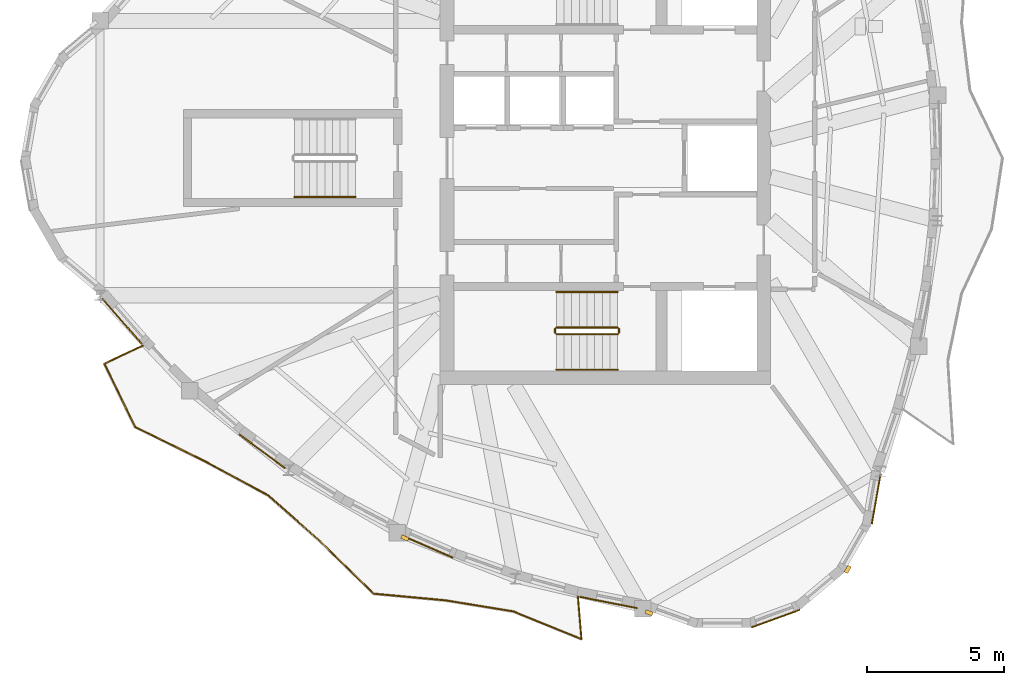
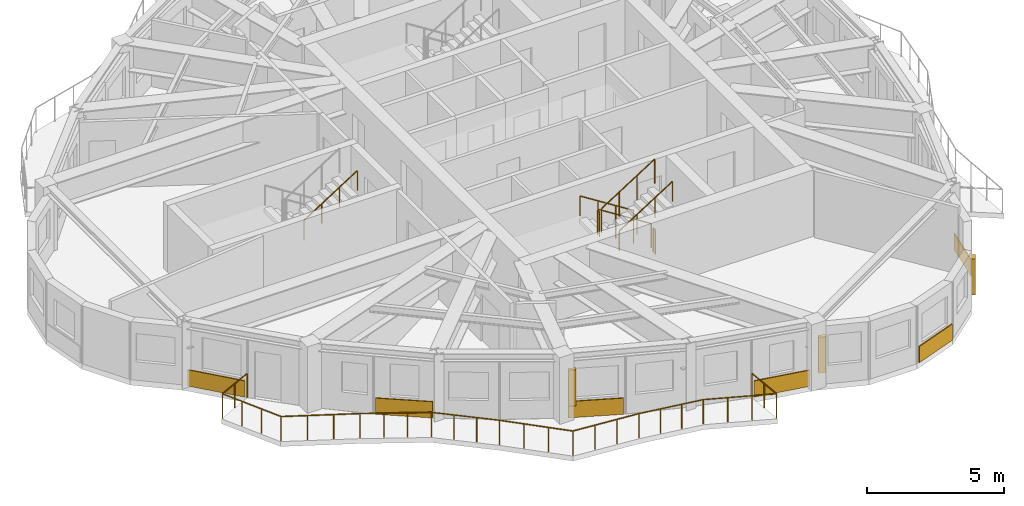
# One storey, part 8 of 11: 8 railings, 6 coverings, 3 shading devices.
"""IFC4 building model written with IfcOpenShell, lengths in metres."""

from ifc_helpers import new_model, si_unit, direction, frame, origin, origin_2d, place, context, subcontext, project, spatial, rectangle, circle, extrude, source, transform, mapped, material, layer, layer_set, type_object, element, save


model = new_model("IFC4")

# Units and contexts
model_context = context("Model", 3, precision=1e-05, world=origin(), true_north=direction((0.0, 1.0)))
body_context = subcontext(model_context, "Body", "Model", "MODEL_VIEW")
ifc_project = project(units=[si_unit("LENGTHUNIT", "METRE"), si_unit("AREAUNIT", "SQUARE_METRE"), si_unit("VOLUMEUNIT", "CUBIC_METRE"), si_unit("PLANEANGLEUNIT", "RADIAN"), si_unit("MASSUNIT", "GRAM", prefix="KILO")], contexts=[model_context])

# Site, building, storey
site_placement = place(None, origin())
site = spatial("IfcSite", under=ifc_project, at=site_placement, CompositionType="ELEMENT")
building_placement = place(site_placement, origin())
building = spatial("IfcBuilding", under=site, at=building_placement, Name="Qafzar Sky-Pleat Residences", CompositionType="ELEMENT")
storey_placement = place(building_placement, frame((0.0, 0.0, 221.199951171875)))
storey = spatial("IfcBuildingStorey", under=building, at=storey_placement, Name="L66", CompositionType="ELEMENT", Elevation=221.199951171875)

# Shading devices
ifc_material_1 = material(Name="Honed Riyadh limestone solar fin", Category="masonry")
ifc_layer_1 = layer(ifc_material_1, 0.139892578125)
ifc_layer_set_1 = layer_set([ifc_layer_1], Name="Honed Riyadh limestone solar fin")
shading_device_type = type_object("IfcShadingDeviceType", Name="SHD-FIN-STONE", PredefinedType="SHUTTER", material=ifc_layer_set_1)
shared_shape_1 = source(origin(), body_context, "Body", "SweptSolid", [
    extrude(rectangle(XDim=0.139892578125, YDim=0.280029296875, at=origin_2d()), origin(), (0.0, 0.0, 1.0), 1.60009765625),
])
for number, where, z_axis, x_axis, name in (
    (1, (23.0087890625, 12.0869140625, 0.60009765625), (0.0, 0.0, 1.0), (-0.398726111415, -0.917070056253, 0.0), "L66 Limestone Solar Fin 13"),
    (2, (31.947998046875, 9.351806640625, 0.60009765625), (0.0, 0.0, 1.0), (-0.342010122116, -0.939696268148, 0.0), "L66 Limestone Solar Fin 17"),
    (3, (39.225341796875, 10.939453125, 0.60009765625), (0.0, 0.0, 1.0), (0.86603181203, -0.499988900429, 0.0), "L66 Limestone Solar Fin 21"),
):
    element("IfcShadingDevice", number, at=place(storey_placement, frame(where, z_axis=z_axis, x_axis=x_axis)), inside=storey, type_object=shading_device_type, Name=name, PredefinedType="SHUTTER", context=body_context, shape_type="MappedRepresentation", body=[
        mapped(shared_shape_1, transform((0.0, 0.0, 0.0), x_axis=(1.0, 0.0, 0.0), y_axis=(0.0, 1.0, 0.0), z_axis=(0.0, 0.0, 1.0), scale=1.0)),
    ])

# Coverings
ifc_material_2 = material(Name="Honed Riyadh Tuwaiq limestone cladding", Category="masonry")
ifc_layer_2 = layer(ifc_material_2, 0.044921875)
ifc_layer_set_2 = layer_set([ifc_layer_2], Name="Honed Riyadh Tuwaiq limestone cladding")
covering_type = type_object("IfcCoveringType", Name="COV-CLAD-STONE", PredefinedType="CLADDING", material=ifc_layer_set_2)
shared_shape_2 = source(origin(), body_context, "Body", "SweptSolid", [
    extrude(rectangle(XDim=1.8291015625, YDim=0.044921875, at=origin_2d()), origin(), (0.0, 0.0, 1.0), 0.719970703125),
])
covering_1_placement = place(storey_placement, frame((40.2666015625, 13.5009765625, 0.02001953125), z_axis=(0.0, 0.0, 1.0), x_axis=(0.173687091871, 0.984800890595, 0.0)))
element("IfcCovering", 4, at=covering_1_placement, inside=storey, type_object=covering_type, Name="L66 Riyadh Limestone Spandrel Cladding 22", PredefinedType="CLADDING", context=body_context, shape_type="MappedRepresentation", body=[
    mapped(shared_shape_2, transform((0.0, 0.0, 0.0), x_axis=(1.0, 0.0, 0.0), y_axis=(0.0, 1.0, 0.0), z_axis=(0.0, 0.0, 1.0), scale=1.0)),
])
shared_shape_3 = source(origin(), body_context, "Body", "SweptSolid", [
    extrude(rectangle(XDim=1.881103515625, YDim=0.044921875, at=origin_2d()), origin(), (0.0, 0.0, 1.0), 0.719970703125),
])
covering_2_placement = place(storey_placement, frame((36.586181640625, 9.13720703125, 0.02001953125), z_axis=(0.0, 0.0, 1.0), x_axis=(0.939709584691, 0.341973531784, 0.0)))
element("IfcCovering", 5, at=covering_2_placement, inside=storey, type_object=covering_type, Name="L66 Riyadh Limestone Spandrel Cladding 19", PredefinedType="CLADDING", context=body_context, shape_type="MappedRepresentation", body=[
    mapped(shared_shape_3, transform((0.0, 0.0, 0.0), x_axis=(1.0, 0.0, 0.0), y_axis=(0.0, 1.0, 0.0), z_axis=(0.0, 0.0, 1.0), scale=1.0)),
])
shared_shape_4 = source(origin(), body_context, "Body", "SweptSolid", [
    extrude(rectangle(XDim=2.135986328125, YDim=0.044921875, at=origin_2d()), origin(), (0.0, 0.0, 1.0), 0.719970703125),
])
covering_3_placement = place(storey_placement, frame((30.468017578125, 9.726806640625, 0.02001953125), z_axis=(0.0, 0.0, 1.0), x_axis=(0.981228323403, -0.192849623678, 0.0)))
element("IfcCovering", 6, at=covering_3_placement, inside=storey, type_object=covering_type, Name="L66 Riyadh Limestone Spandrel Cladding 16", PredefinedType="CLADDING", context=body_context, shape_type="MappedRepresentation", body=[
    mapped(shared_shape_4, transform((0.0, 0.0, 0.0), x_axis=(1.0, 0.0, 0.0), y_axis=(0.0, 1.0, 0.0), z_axis=(0.0, 0.0, 1.0), scale=1.0)),
])

# Railing
ifc_material_3 = material(Name="Laminated glass and bronze steel balustrade", Category="steel")
railing_type_1 = type_object("IfcRailingType", Name="RAIL-BAL-1100", PredefinedType="BALUSTRADE", material=ifc_material_3)
shared_shape_5 = source(origin(), body_context, "Body", "SweptSolid", [
    extrude(circle(Radius=0.02392578125, at=origin_2d()), frame((0.0, 0.0, 1.076171875), z_axis=(-0.904790644591, -0.425856653654, 0.0), x_axis=(0.425856653654, -0.904790644591, 0.0)), (0.0, 0.0, 1.0), 1.57763671875),
    extrude(circle(Radius=0.02392578125, at=origin_2d()), frame((-1.427490234375, -0.671875, 1.076171875), z_axis=(0.437455374248, -0.899240121181, 0.0), x_axis=(0.899240121181, 0.437455374248, 0.0)), (0.0, 0.0, 1.0), 2.578857421875),
    extrude(circle(Radius=0.02392578125, at=origin_2d()), frame((-0.29931640625, -2.990966796875, 1.076171875), z_axis=(0.897107090323, -0.441813160162, 0.0), x_axis=(0.441813160162, 0.897107090323, 0.0)), (0.0, 0.0, 1.0), 2.879638671875),
    extrude(circle(Radius=0.02392578125, at=origin_2d()), frame((2.283935546875, -4.26318359375, 1.076171875), z_axis=(0.880344319941, -0.474335196193, 0.0), x_axis=(0.474335196193, 0.880344319941, 0.0)), (0.0, 0.0, 1.0), 2.59765625),
    extrude(circle(Radius=0.02392578125, at=origin_2d()), frame((4.57080078125, -5.495361328125, 1.076171875), z_axis=(0.749725239558, -0.661749246445, 0.0), x_axis=(0.661749246445, 0.749725239558, 0.0)), (0.0, 0.0, 1.0), 2.53076171875),
    extrude(circle(Radius=0.02392578125, at=origin_2d()), frame((6.46826171875, -7.170166015625, 1.076171875), z_axis=(0.714863884807, -0.6992636314, 0.0), x_axis=(0.6992636314, 0.714863884807, 0.0)), (0.0, 0.0, 1.0), 2.75439453125),
    extrude(circle(Radius=0.02392578125, at=origin_2d()), frame((8.437255859375, -9.09619140625, 1.076171875), z_axis=(0.995744742479, -0.092154261023, 0.0), x_axis=(0.092154261023, 0.995744742479, 0.0)), (0.0, 0.0, 1.0), 2.65185546875),
    extrude(circle(Radius=0.02392578125, at=origin_2d()), frame((11.077880859375, -9.340576171875, 1.076171875), z_axis=(0.986916711973, -0.16123090159, 0.0), x_axis=(0.16123090159, 0.986916711973, 0.0)), (0.0, 0.0, 1.0), 2.5),
    extrude(circle(Radius=0.02392578125, at=origin_2d()), frame((13.545166015625, -9.74365234375, 1.076171875), z_axis=(0.926402453337, -0.376534851576, 0.0), x_axis=(0.376534851576, 0.926402453337, 0.0)), (0.0, 0.0, 1.0), 2.697265625),
    extrude(circle(Radius=0.02392578125, at=origin_2d()), frame((16.0439453125, -10.75927734375, 1.076171875), z_axis=(-0.083544817764, 0.996504020777, 0.0), x_axis=(-0.996504020777, -0.083544817764, 0.0)), (0.0, 0.0, 1.0), 1.578125),
    extrude(circle(Radius=0.02099609375, at=origin_2d()), origin(), (0.0, 0.0, 1.0), 1.052001953125),
    extrude(circle(Radius=0.02099609375, at=origin_2d()), frame((-0.7138671875, -0.3359375, 0.0)), (0.0, 0.0, 1.0), 1.052001953125),
    extrude(circle(Radius=0.02099609375, at=origin_2d()), frame((-1.427490234375, -0.671875, 0.0)), (0.0, 0.0, 1.0), 1.052001953125),
    extrude(circle(Radius=0.02099609375, at=origin_2d()), frame((-1.051513671875, -1.44482421875, 0.0)), (0.0, 0.0, 1.0), 1.052001953125),
    extrude(circle(Radius=0.02099609375, at=origin_2d()), frame((-0.67529296875, -2.218017578125, 0.0)), (0.0, 0.0, 1.0), 1.052001953125),
    extrude(circle(Radius=0.02099609375, at=origin_2d()), frame((-0.29931640625, -2.990966796875, 0.0)), (0.0, 0.0, 1.0), 1.052001953125),
    extrude(circle(Radius=0.02099609375, at=origin_2d()), frame((0.561767578125, -3.4150390625, 0.0)), (0.0, 0.0, 1.0), 1.052001953125),
    extrude(circle(Radius=0.02099609375, at=origin_2d()), frame((1.4228515625, -3.839111328125, 0.0)), (0.0, 0.0, 1.0), 1.052001953125),
    extrude(circle(Radius=0.02099609375, at=origin_2d()), frame((2.283935546875, -4.26318359375, 0.0)), (0.0, 0.0, 1.0), 1.052001953125),
    extrude(circle(Radius=0.02099609375, at=origin_2d()), frame((3.046142578125, -4.673828125, 0.0)), (0.0, 0.0, 1.0), 1.052001953125),
    extrude(circle(Radius=0.02099609375, at=origin_2d()), frame((3.80859375, -5.084716796875, 0.0)), (0.0, 0.0, 1.0), 1.052001953125),
    extrude(circle(Radius=0.02099609375, at=origin_2d()), frame((4.57080078125, -5.495361328125, 0.0)), (0.0, 0.0, 1.0), 1.052001953125),
    extrude(circle(Radius=0.02099609375, at=origin_2d()), frame((5.203369140625, -6.0537109375, 0.0)), (0.0, 0.0, 1.0), 1.052001953125),
    extrude(circle(Radius=0.02099609375, at=origin_2d()), frame((5.835693359375, -6.61181640625, 0.0)), (0.0, 0.0, 1.0), 1.052001953125),
    extrude(circle(Radius=0.02099609375, at=origin_2d()), frame((6.46826171875, -7.170166015625, 0.0)), (0.0, 0.0, 1.0), 1.052001953125),
    extrude(circle(Radius=0.02099609375, at=origin_2d()), frame((7.12451171875, -7.812255859375, 0.0)), (0.0, 0.0, 1.0), 1.052001953125),
    extrude(circle(Radius=0.02099609375, at=origin_2d()), frame((7.781005859375, -8.4541015625, 0.0)), (0.0, 0.0, 1.0), 1.052001953125),
    extrude(circle(Radius=0.02099609375, at=origin_2d()), frame((8.437255859375, -9.09619140625, 0.0)), (0.0, 0.0, 1.0), 1.052001953125),
    extrude(circle(Radius=0.02099609375, at=origin_2d()), frame((9.3173828125, -9.177734375, 0.0)), (0.0, 0.0, 1.0), 1.052001953125),
    extrude(circle(Radius=0.02099609375, at=origin_2d()), frame((10.19775390625, -9.259033203125, 0.0)), (0.0, 0.0, 1.0), 1.052001953125),
    extrude(circle(Radius=0.02099609375, at=origin_2d()), frame((11.077880859375, -9.340576171875, 0.0)), (0.0, 0.0, 1.0), 1.052001953125),
    extrude(circle(Radius=0.02099609375, at=origin_2d()), frame((11.900390625, -9.474853515625, 0.0)), (0.0, 0.0, 1.0), 1.052001953125),
    extrude(circle(Radius=0.02099609375, at=origin_2d()), frame((12.72265625, -9.609375, 0.0)), (0.0, 0.0, 1.0), 1.052001953125),
    extrude(circle(Radius=0.02099609375, at=origin_2d()), frame((13.545166015625, -9.74365234375, 0.0)), (0.0, 0.0, 1.0), 1.052001953125),
    extrude(circle(Radius=0.02099609375, at=origin_2d()), frame((14.378173828125, -10.082275390625, 0.0)), (0.0, 0.0, 1.0), 1.052001953125),
    extrude(circle(Radius=0.02099609375, at=origin_2d()), frame((15.2109375, -10.420654296875, 0.0)), (0.0, 0.0, 1.0), 1.052001953125),
    extrude(circle(Radius=0.02099609375, at=origin_2d()), frame((16.0439453125, -10.75927734375, 0.0)), (0.0, 0.0, 1.0), 1.052001953125),
    extrude(circle(Radius=0.02099609375, at=origin_2d()), frame((15.97802734375, -9.97314453125, 0.0)), (0.0, 0.0, 1.0), 1.052001953125),
    extrude(circle(Radius=0.02099609375, at=origin_2d()), frame((15.912109375, -9.186767578125, 0.0)), (0.0, 0.0, 1.0), 1.052001953125),
])
railing_1_placement = place(storey_placement, frame((13.43408203125, 19.144775390625, 0.0)))
element("IfcRailing", 7, at=railing_1_placement, inside=storey, type_object=railing_type_1, Name="L66 Pleated Balcony 3 Balustrade", PredefinedType="BALUSTRADE", context=body_context, shape_type="MappedRepresentation", body=[
    mapped(shared_shape_5, transform((0.0, 0.0, 0.0), x_axis=(1.0, 0.0, 0.0), y_axis=(0.0, 1.0, 0.0), z_axis=(0.0, 0.0, 1.0), scale=1.0)),
])

# Coverings
shared_shape_6 = source(origin(), body_context, "Body", "SweptSolid", [
    extrude(rectangle(XDim=2.19921875, YDim=0.044921875, at=origin_2d()), origin(), (0.0, 0.0, 1.0), 0.719970703125),
])
covering_4_placement = place(storey_placement, frame((12.64990234375, 20.027099609375, 0.02001953125), z_axis=(0.0, 0.0, 1.0), x_axis=(0.657603089967, -0.753364570487, 0.0)))
element("IfcCovering", 8, at=covering_4_placement, inside=storey, type_object=covering_type, Name="L66 Riyadh Limestone Spandrel Cladding 7", PredefinedType="CLADDING", context=body_context, shape_type="MappedRepresentation", body=[
    mapped(shared_shape_6, transform((0.0, 0.0, 0.0), x_axis=(1.0, 0.0, 0.0), y_axis=(0.0, 1.0, 0.0), z_axis=(0.0, 0.0, 1.0), scale=1.0)),
])
shared_shape_7 = source(origin(), body_context, "Body", "SweptSolid", [
    extrude(rectangle(XDim=2.09521484375, YDim=0.044921875, at=origin_2d()), origin(), (0.0, 0.0, 1.0), 0.719970703125),
])
covering_5_placement = place(storey_placement, frame((17.788818359375, 15.260986328125, 0.02001953125), z_axis=(0.0, 0.0, 1.0), x_axis=(0.803818893244, -0.594874093287, 0.0)))
element("IfcCovering", 9, at=covering_5_placement, inside=storey, type_object=covering_type, Name="L66 Riyadh Limestone Spandrel Cladding 10", PredefinedType="CLADDING", context=body_context, shape_type="MappedRepresentation", body=[
    mapped(shared_shape_7, transform((0.0, 0.0, 0.0), x_axis=(1.0, 0.0, 0.0), y_axis=(0.0, 1.0, 0.0), z_axis=(0.0, 0.0, 1.0), scale=1.0)),
])
shared_shape_8 = source(origin(), body_context, "Body", "SweptSolid", [
    extrude(rectangle(XDim=2.031982421875, YDim=0.044921875, at=origin_2d()), origin(), (0.0, 0.0, 1.0), 0.719970703125),
])
covering_6_placement = place(storey_placement, frame((23.83740234375, 11.7734375, 0.02001953125), z_axis=(0.0, 0.0, 1.0), x_axis=(0.91707991396, -0.398703437923, 0.0)))
element("IfcCovering", 10, at=covering_6_placement, inside=storey, type_object=covering_type, Name="L66 Riyadh Limestone Spandrel Cladding 13", PredefinedType="CLADDING", context=body_context, shape_type="MappedRepresentation", body=[
    mapped(shared_shape_8, transform((0.0, 0.0, 0.0), x_axis=(1.0, 0.0, 0.0), y_axis=(0.0, 1.0, 0.0), z_axis=(0.0, 0.0, 1.0), scale=1.0)),
])

# Railings
ifc_material_4 = material(Name="Painted Steel S355 stair guardrail", Category="steel")
railing_type_2 = type_object("IfcRailingType", Name="RAIL-STAIR-GUARD", PredefinedType="GUARDRAIL", material=ifc_material_4)
shared_shape_9 = source(origin(), body_context, "Body", "SweptSolid", [
    extrude(circle(Radius=0.02392578125, at=origin_2d()), frame((0.0, 0.0, 1.076171875), z_axis=(0.0, -1.0, 0.0), x_axis=(1.0, 0.0, 0.0)), (0.0, 0.0, 1.0), 0.14990234375),
    extrude(circle(Radius=0.02099609375, at=origin_2d()), origin(), (0.0, 0.0, 1.0), 1.052001953125),
    extrude(circle(Radius=0.02099609375, at=origin_2d()), frame((0.0, -0.14990234375, 0.0)), (0.0, 0.0, 1.0), 1.052001953125),
])
for number, where, name in (
    (11, (28.510009765625, 19.75, 1.60009765625), "L66 ST1 stair guard 2"),
    (12, (30.85009765625, 19.75, 0.0), "L66 ST1 stair guard 4"),
):
    element("IfcRailing", number, at=place(storey_placement, frame(where)), inside=storey, type_object=railing_type_2, Name=name, PredefinedType="GUARDRAIL", context=body_context, shape_type="MappedRepresentation", body=[
        mapped(shared_shape_9, transform((0.0, 0.0, 0.0), x_axis=(1.0, 0.0, 0.0), y_axis=(0.0, 1.0, 0.0), z_axis=(0.0, 0.0, 1.0), scale=1.0)),
    ])
shared_shape_10 = source(origin(), body_context, "Body", "SweptSolid", [
    extrude(circle(Radius=0.02392578125, at=origin_2d()), frame((0.0, 0.0, 1.076171875), z_axis=(0.8442293374, 0.0, 0.53598211339), x_axis=(0.0, 1.0, 0.0)), (0.0, 0.0, 1.0), 2.6533203125),
    extrude(circle(Radius=0.02099609375, at=origin_2d()), origin(), (0.0, 0.0, 1.0), 1.052001953125),
    extrude(circle(Radius=0.02099609375, at=origin_2d()), frame((0.74658203125, 0.0, 0.47412109375)), (0.0, 0.0, 1.0), 1.052001953125),
    extrude(circle(Radius=0.02099609375, at=origin_2d()), frame((1.493408203125, 0.0, 0.947998046875)), (0.0, 0.0, 1.0), 1.052001953125),
    extrude(circle(Radius=0.02099609375, at=origin_2d()), frame((2.239990234375, 0.0, 1.422119140625)), (0.0, 0.0, 1.0), 1.052001953125),
])
railing_2_placement = place(storey_placement, frame((28.56005859375, 19.550048828125, 1.77783203125)))
element("IfcRailing", 13, at=railing_2_placement, inside=storey, type_object=railing_type_2, Name="L66 ST1 stair guard 3", PredefinedType="GUARDRAIL", context=body_context, shape_type="MappedRepresentation", body=[
    mapped(shared_shape_10, transform((0.0, 0.0, 0.0), x_axis=(1.0, 0.0, 0.0), y_axis=(0.0, 1.0, 0.0), z_axis=(0.0, 0.0, 1.0), scale=1.0)),
])
ifc_material_5 = material(Name="Brushed stainless steel handrail", Category="steel")
railing_type_3 = type_object("IfcRailingType", Name="RAIL-STAIR-HAND", PredefinedType="HANDRAIL", material=ifc_material_5)
shared_shape_11 = source(origin(), body_context, "Body", "SweptSolid", [
    extrude(circle(Radius=0.02392578125, at=origin_2d()), frame((0.0, 0.0, 0.8759765625), z_axis=(0.8442293374, 0.0, 0.53598211339), x_axis=(0.0, 1.0, 0.0)), (0.0, 0.0, 1.0), 2.6533203125),
    extrude(circle(Radius=0.02099609375, at=origin_2d()), origin(), (0.0, 0.0, 1.0), 0.851806640625),
    extrude(circle(Radius=0.02099609375, at=origin_2d()), frame((0.74658203125, 0.0, 0.47412109375)), (0.0, 0.0, 1.0), 0.851806640625),
    extrude(circle(Radius=0.02099609375, at=origin_2d()), frame((1.493408203125, 0.0, 0.947998046875)), (0.0, 0.0, 1.0), 0.851806640625),
    extrude(circle(Radius=0.02099609375, at=origin_2d()), frame((2.239990234375, 0.0, 1.422119140625)), (0.0, 0.0, 1.0), 0.851806640625),
])
for number, where, name in (
    (14, (28.56005859375, 18.25, 1.77783203125), "L66 ST1 stair handrail 2"),
    (15, (18.9599609375, 24.574951171875, 1.77783203125), "L66 ST3 stair handrail 2"),
):
    element("IfcRailing", number, at=place(storey_placement, frame(where)), inside=storey, type_object=railing_type_3, Name=name, PredefinedType="HANDRAIL", context=body_context, shape_type="MappedRepresentation", body=[
        mapped(shared_shape_11, transform((0.0, 0.0, 0.0), x_axis=(1.0, 0.0, 0.0), y_axis=(0.0, 1.0, 0.0), z_axis=(0.0, 0.0, 1.0), scale=1.0)),
    ])
shared_shape_12 = source(origin(), body_context, "Body", "SweptSolid", [
    extrude(circle(Radius=0.02392578125, at=origin_2d()), frame((0.0, 0.0, 1.076171875), z_axis=(-0.84418770128, 0.0, 0.536047689118), x_axis=(0.0, -1.0, 0.0)), (0.0, 0.0, 1.0), 2.6533203125),
    extrude(circle(Radius=0.02099609375, at=origin_2d()), origin(), (0.0, 0.0, 1.0), 1.052001953125),
    extrude(circle(Radius=0.02099609375, at=origin_2d()), frame((-0.74658203125, 0.0, 0.47412109375)), (0.0, 0.0, 1.0), 1.052001953125),
    extrude(circle(Radius=0.02099609375, at=origin_2d()), frame((-1.493408203125, 0.0, 0.9482421875)), (0.0, 0.0, 1.0), 1.052001953125),
    extrude(circle(Radius=0.02099609375, at=origin_2d()), frame((-2.239990234375, 0.0, 1.42236328125)), (0.0, 0.0, 1.0), 1.052001953125),
])
railing_3_placement = place(storey_placement, frame((30.800048828125, 19.800048828125, 0.177734375)))
element("IfcRailing", 16, at=railing_3_placement, inside=storey, type_object=railing_type_2, Name="L66 ST1 stair guard 1", PredefinedType="GUARDRAIL", context=body_context, shape_type="MappedRepresentation", body=[
    mapped(shared_shape_12, transform((0.0, 0.0, 0.0), x_axis=(1.0, 0.0, 0.0), y_axis=(0.0, 1.0, 0.0), z_axis=(0.0, 0.0, 1.0), scale=1.0)),
])
shared_shape_13 = source(origin(), body_context, "Body", "SweptSolid", [
    extrude(circle(Radius=0.02392578125, at=origin_2d()), frame((0.0, 0.0, 0.8759765625), z_axis=(-0.84418770128, 0.0, 0.536047689118), x_axis=(0.0, -1.0, 0.0)), (0.0, 0.0, 1.0), 2.6533203125),
    extrude(circle(Radius=0.02099609375, at=origin_2d()), origin(), (0.0, 0.0, 1.0), 0.851806640625),
    extrude(circle(Radius=0.02099609375, at=origin_2d()), frame((-0.74658203125, 0.0, 0.47412109375)), (0.0, 0.0, 1.0), 0.851806640625),
    extrude(circle(Radius=0.02099609375, at=origin_2d()), frame((-1.493408203125, 0.0, 0.9482421875)), (0.0, 0.0, 1.0), 0.851806640625),
    extrude(circle(Radius=0.02099609375, at=origin_2d()), frame((-2.239990234375, 0.0, 1.42236328125)), (0.0, 0.0, 1.0), 0.851806640625),
])
railing_4_placement = place(storey_placement, frame((30.800048828125, 21.10009765625, 0.177734375)))
element("IfcRailing", 17, at=railing_4_placement, inside=storey, type_object=railing_type_3, Name="L66 ST1 stair handrail 1", PredefinedType="HANDRAIL", context=body_context, shape_type="MappedRepresentation", body=[
    mapped(shared_shape_13, transform((0.0, 0.0, 0.0), x_axis=(1.0, 0.0, 0.0), y_axis=(0.0, 1.0, 0.0), z_axis=(0.0, 0.0, 1.0), scale=1.0)),
])

save(model, "model.ifc")
